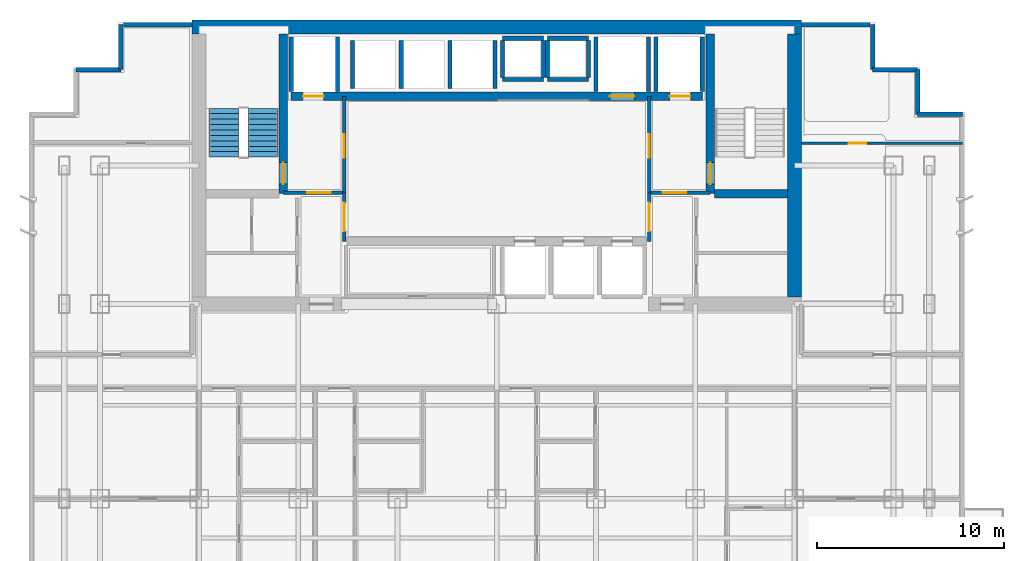
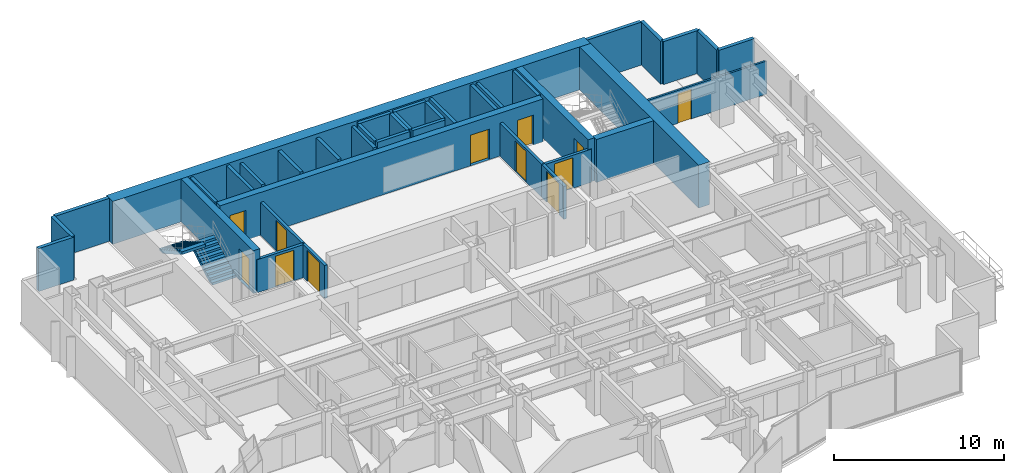
# One storey, part 7 of 10: 39 walls, 12 doors, 2 stair flights, 12 openings, 1 element without a shape of its own.
"""IFC4 building model written with IfcOpenShell, lengths in metres."""

from ifc_helpers import new_model, si_unit, direction, frame, frame_2d, origin, place, context, subcontext, project, spatial, polyline, rectangle, outline, extrude, material, layer, layer_set, type_object, element, fill, aggregate, save


model = new_model("IFC4")

# Units and contexts
model_context = context("Model", 3, precision=1e-05, world=origin(), true_north=direction((0.0, 1.0)))
body_context = subcontext(model_context, "Body", "Model", "MODEL_VIEW")
ifc_project = project(units=[si_unit("LENGTHUNIT", "METRE"), si_unit("AREAUNIT", "SQUARE_METRE"), si_unit("VOLUMEUNIT", "CUBIC_METRE"), si_unit("PLANEANGLEUNIT", "RADIAN"), si_unit("MASSUNIT", "GRAM", prefix="KILO")], contexts=[model_context])

# Site, building, storey
site_placement = place(None, origin())
site = spatial("IfcSite", under=ifc_project, at=site_placement, CompositionType="ELEMENT")
building_placement = place(site_placement, origin())
building = spatial("IfcBuilding", under=site, at=building_placement, Name="Qianlan Lanfeng Residences", CompositionType="ELEMENT")
storey_placement = place(building_placement, frame((0.0, 0.0, 88.300048828125)))
storey = spatial("IfcBuildingStorey", under=building, at=storey_placement, Name="L23", CompositionType="ELEMENT", Elevation=88.300048828125)

# Wall, opening, door
ifc_material_1 = material(Name="Concrete C60", Category="concrete")
ifc_layer_1 = layer(ifc_material_1, 0.449951171875)
ifc_layer_set_1 = layer_set([ifc_layer_1], Name="Concrete C60")
wall_type_1 = type_object("IfcWallType", Name="CW-RC-450", PredefinedType="SHEAR", material=ifc_layer_set_1)
wall_1_placement = place(storey_placement, frame((15.10009765625, 31.10009765625, 0.0), z_axis=(0.0, 0.0, 1.0), x_axis=(0.0, 1.0, 0.0)))
wall_1 = element("IfcWall", 1, at=wall_1_placement, inside=storey, type_object=wall_type_1, Name="L23 Core Shear Wall ST1E", PredefinedType="SHEAR", context=body_context, shape_type="SweptSolid", body=[
    extrude(rectangle(XDim=8.52490234375, YDim=0.449951171875, at=frame_2d((4.262451171875, 0.0))), origin(), (0.0, 0.0, 1.0), 3.08984375),
])
opening_1_placement = place(wall_1_placement, frame((0.510009765625, 0.0, 0.0)))
opening_1 = element("IfcOpeningElement", 2, at=opening_1_placement, cuts=wall_1, Name="Opening L23-D07", PredefinedType="OPENING", context=body_context, shape_type="SweptSolid", body=[
    extrude(rectangle(XDim=1.14990234375, YDim=2.199951171875, at=frame_2d((0.574951171875, 1.10009765625))), frame((0.0, 0.23486328125, 0.0), z_axis=(0.0, -1.0, 0.0), x_axis=(1.0, 0.0, 0.0)), (0.0, 0.0, 1.0), 0.469970703125),
])
ifc_material_2 = material(Name="Painted Galvanised Steel Fire Door", Category="steel")
door_type_1 = type_object("IfcDoorType", Name="DT-ST1", OperationType="NOTDEFINED", PredefinedType="DOOR", material=ifc_material_2)
door_1_placement = place(opening_1_placement, frame((1.14990234375, 0.0, 0.0), z_axis=(0.0, 0.0, 1.0), x_axis=(-1.0, 0.0, 0.0)))
door_1 = element("IfcDoor", 3, at=door_1_placement, inside=storey, type_object=door_type_1, Name="L23 Exit Stair ST-1 Door L23-D07 (DT-ST1)", OperationType="SINGLE_SWING_RIGHT", OverallHeight=2.199951171875, OverallWidth=1.14990234375, PredefinedType="DOOR", context=body_context, shape_type="SweptSolid", body=[
    extrude(rectangle(XDim=1.14990234375, YDim=2.199951171875, at=frame_2d((0.574951171875, 1.10009765625))), frame((0.0, 0.02490234375, 0.0), z_axis=(0.0, -1.0, 0.0), x_axis=(1.0, 0.0, 0.0)), (0.0, 0.0, 1.0), 0.050048828125),
])
fill(opening_1, door_1)

wall_2_placement = place(storey_placement, frame((37.89990234375, 31.10009765625, 0.0), z_axis=(0.0, 0.0, 1.0), x_axis=(0.0, 1.0, 0.0)))
wall_2 = element("IfcWall", 4, at=wall_2_placement, inside=storey, type_object=wall_type_1, Name="L23 Core Shear Wall ST2W", PredefinedType="SHEAR", context=body_context, shape_type="SweptSolid", body=[
    extrude(rectangle(XDim=8.52490234375, YDim=0.449951171875, at=frame_2d((4.262451171875, 0.0))), origin(), (0.0, 0.0, 1.0), 3.08984375),
])
opening_2_placement = place(wall_2_placement, frame((0.510009765625, 0.0, 0.0)))
opening_2 = element("IfcOpeningElement", 5, at=opening_2_placement, cuts=wall_2, Name="Opening L23-D08", PredefinedType="OPENING", context=body_context, shape_type="SweptSolid", body=[
    extrude(rectangle(XDim=1.14990234375, YDim=2.199951171875, at=frame_2d((0.574951171875, 1.10009765625))), frame((0.0, 0.23486328125, 0.0), z_axis=(0.0, -1.0, 0.0), x_axis=(1.0, 0.0, 0.0)), (0.0, 0.0, 1.0), 0.469970703125),
])
door_2_placement = place(opening_2_placement, origin())
door_2 = element("IfcDoor", 6, at=door_2_placement, inside=storey, type_object=door_type_1, Name="L23 Exit Stair ST-2 Door L23-D08 (DT-ST1)", OperationType="SINGLE_SWING_RIGHT", OverallHeight=2.199951171875, OverallWidth=1.14990234375, PredefinedType="DOOR", context=body_context, shape_type="SweptSolid", body=[
    extrude(rectangle(XDim=1.14990234375, YDim=2.199951171875, at=frame_2d((0.574951171875, 1.10009765625))), frame((0.0, 0.02490234375, 0.0), z_axis=(0.0, -1.0, 0.0), x_axis=(1.0, 0.0, 0.0)), (0.0, 0.0, 1.0), 0.050048828125),
])
fill(opening_2, door_2)

# Wall
wall_3_placement = place(storey_placement, frame((38.125, 31.10009765625, 0.0), z_axis=(0.0, 0.0, 1.0), x_axis=(1.0, 0.0, 0.0)))
element("IfcWall", 7, at=wall_3_placement, inside=storey, type_object=wall_type_1, Name="L23 Core Shear Wall ST2S", PredefinedType="SHEAR", context=body_context, shape_type="SweptSolid", body=[
    extrude(rectangle(XDim=3.89990234375, YDim=0.449951171875, at=frame_2d((1.949951171875, 0.0))), origin(), (0.0, 0.0, 1.0), 3.08984375),
])

# Wall, openings, doors
wall_4_placement = place(storey_placement, frame((15.5, 36.300048828125, 0.0), z_axis=(0.0, 0.0, 1.0), x_axis=(1.0, 0.0, 0.0)))
wall_4 = element("IfcWall", 8, at=wall_4_placement, inside=storey, type_object=wall_type_1, Name="L23 Core Shear Wall LBN", PredefinedType="SHEAR", context=body_context, shape_type="SweptSolid", body=[
    extrude(rectangle(XDim=22.0, YDim=0.449951171875, at=frame_2d((11.0, 0.0))), origin(), (0.0, 0.0, 1.0), 3.08984375),
])
opening_3_placement = place(wall_4_placement, frame((0.64990234375, 0.0, 0.0)))
opening_3 = element("IfcOpeningElement", 9, at=opening_3_placement, cuts=wall_4, Name="Opening L23-LD-FFL-1", PredefinedType="OPENING", context=body_context, shape_type="SweptSolid", body=[
    extrude(rectangle(XDim=1.10009765625, YDim=2.14990234375, at=frame_2d((0.550048828125, 1.074951171875))), frame((0.0, 0.23486328125, 0.0), z_axis=(0.0, -1.0, 0.0), x_axis=(1.0, 0.0, 0.0)), (0.0, 0.0, 1.0), 0.469970703125),
])
opening_4_placement = place(wall_4_placement, frame((20.25, 0.0, 0.0)))
opening_4 = element("IfcOpeningElement", 10, at=opening_4_placement, cuts=wall_4, Name="Opening L23-LD-FFL-2", PredefinedType="OPENING", context=body_context, shape_type="SweptSolid", body=[
    extrude(rectangle(XDim=1.10009765625, YDim=2.14990234375, at=frame_2d((0.550048828125, 1.074951171875))), frame((0.0, 0.23486328125, 0.0), z_axis=(0.0, -1.0, 0.0), x_axis=(1.0, 0.0, 0.0)), (0.0, 0.0, 1.0), 0.469970703125),
])
opening_5_placement = place(wall_4_placement, frame((17.050048828125, 0.0, 0.0)))
opening_5 = element("IfcOpeningElement", 11, at=opening_5_placement, cuts=wall_4, Name="Opening L23-LD-SVL-1", PredefinedType="OPENING", context=body_context, shape_type="SweptSolid", body=[
    extrude(rectangle(XDim=1.300048828125, YDim=2.199951171875, at=frame_2d((0.64990234375, 1.10009765625))), frame((0.0, 0.23486328125, 0.0), z_axis=(0.0, -1.0, 0.0), x_axis=(1.0, 0.0, 0.0)), (0.0, 0.0, 1.0), 0.469970703125),
])
ifc_material_3 = material(Name="Brushed Stainless Steel Sliding Lift Door", Category="steel")
door_type_2 = type_object("IfcDoorType", Name="LD-01", OperationType="NOTDEFINED", PredefinedType="DOOR", material=ifc_material_3)
door_3_placement = place(opening_3_placement, frame((1.10009765625, 0.0, 0.0), z_axis=(0.0, 0.0, 1.0), x_axis=(-1.0, 0.0, 0.0)))
door_3 = element("IfcDoor", 12, at=door_3_placement, inside=storey, type_object=door_type_2, Name="L23 Elevator FFL-1 Sliding Landing Door", OperationType="DOUBLE_DOOR_SLIDING", OverallHeight=2.14990234375, OverallWidth=1.10009765625, PredefinedType="DOOR", context=body_context, shape_type="SweptSolid", body=[
    extrude(rectangle(XDim=1.10009765625, YDim=2.14990234375, at=frame_2d((0.550048828125, 1.074951171875))), frame((0.0, 0.02490234375, 0.0), z_axis=(0.0, -1.0, 0.0), x_axis=(1.0, 0.0, 0.0)), (0.0, 0.0, 1.0), 0.050048828125),
])
fill(opening_3, door_3)
door_4_placement = place(opening_4_placement, frame((1.10009765625, 0.0, 0.0), z_axis=(0.0, 0.0, 1.0), x_axis=(-1.0, 0.0, 0.0)))
door_4 = element("IfcDoor", 13, at=door_4_placement, inside=storey, type_object=door_type_2, Name="L23 Elevator FFL-2 Sliding Landing Door", OperationType="DOUBLE_DOOR_SLIDING", OverallHeight=2.14990234375, OverallWidth=1.10009765625, PredefinedType="DOOR", context=body_context, shape_type="SweptSolid", body=[
    extrude(rectangle(XDim=1.10009765625, YDim=2.14990234375, at=frame_2d((0.550048828125, 1.074951171875))), frame((0.0, 0.02490234375, 0.0), z_axis=(0.0, -1.0, 0.0), x_axis=(1.0, 0.0, 0.0)), (0.0, 0.0, 1.0), 0.050048828125),
])
fill(opening_4, door_4)
door_type_3 = type_object("IfcDoorType", Name="LD-02", OperationType="NOTDEFINED", PredefinedType="DOOR", material=ifc_material_3)
door_5_placement = place(opening_5_placement, frame((1.300048828125, 0.0, 0.0), z_axis=(0.0, 0.0, 1.0), x_axis=(-1.0, 0.0, 0.0)))
door_5 = element("IfcDoor", 14, at=door_5_placement, inside=storey, type_object=door_type_3, Name="L23 Elevator SVL-1 Sliding Landing Door", OperationType="DOUBLE_DOOR_SLIDING", OverallHeight=2.199951171875, OverallWidth=1.300048828125, PredefinedType="DOOR", context=body_context, shape_type="SweptSolid", body=[
    extrude(rectangle(XDim=1.300048828125, YDim=2.199951171875, at=frame_2d((0.64990234375, 1.10009765625))), frame((0.0, 0.02490234375, 0.0), z_axis=(0.0, -1.0, 0.0), x_axis=(1.0, 0.0, 0.0)), (0.0, 0.0, 1.0), 0.050048828125),
])
fill(opening_5, door_5)

# Walls
ifc_layer_2 = layer(ifc_material_1, 0.75)
ifc_layer_set_2 = layer_set([ifc_layer_2], Name="Concrete C60")
wall_type_2 = type_object("IfcWallType", Name="CW-RC-750", PredefinedType="SHEAR", material=ifc_layer_set_2)
wall_5_placement = place(storey_placement, frame((10.22509765625, 40.0, 0.0), z_axis=(0.0, 0.0, 1.0), x_axis=(1.0, 0.0, 0.0)))
element("IfcWall", 15, at=wall_5_placement, inside=storey, type_object=wall_type_2, Name="L23 Core Shear Wall N", PredefinedType="SHEAR", context=body_context, shape_type="SweptSolid", body=[
    extrude(rectangle(XDim=32.5498046875, YDim=0.75, at=frame_2d((16.27490234375, 0.0))), origin(), (0.0, 0.0, 1.0), 3.08984375),
])
wall_6_placement = place(storey_placement, frame((42.39990234375, 25.574951171875, 0.0), z_axis=(0.0, 0.0, 1.0), x_axis=(0.0, 1.0, 0.0)))
element("IfcWall", 16, at=wall_6_placement, inside=storey, type_object=wall_type_2, Name="L23 Core Shear Wall E", PredefinedType="SHEAR", context=body_context, shape_type="SweptSolid", body=[
    extrude(rectangle(XDim=14.050048828125, YDim=0.75, at=frame_2d((7.02490234375, 0.0))), origin(), (0.0, 0.0, 1.0), 3.08984375),
])
ifc_material_4 = material(Name="Concrete C42", Category="concrete")
ifc_layer_3 = layer(ifc_material_4, 0.239990234375)
ifc_layer_set_3 = layer_set([ifc_layer_3], Name="Concrete C42")
wall_type_3 = type_object("IfcWallType", Name="EW-240", PredefinedType="SOLIDWALL", material=ifc_layer_set_3)
for number, where, z_axis, x_axis, name in (
    (17, (51.3798828125, 35.330078125, 0.0), (0.0, 0.0, 1.0), (-1.0, 0.0, 0.0), "L23 Exterior Facade Spandrel Wall 11"),
    (18, (48.97998046875, 35.330078125, 0.0), (0.0, 0.0, 1.0), (0.0, 1.0, 0.0), "L23 Exterior Facade Spandrel Wall 12"),
    (19, (48.97998046875, 37.72998046875, 0.0), (0.0, 0.0, 1.0), (-1.0, 0.0, 0.0), "L23 Exterior Facade Spandrel Wall 13"),
    (20, (46.580078125, 37.72998046875, 0.0), (0.0, 0.0, 1.0), (0.0, 1.0, 0.0), "L23 Exterior Facade Spandrel Wall 14"),
):
    element("IfcWall", number, at=place(storey_placement, frame(where, z_axis=z_axis, x_axis=x_axis)), inside=storey, type_object=wall_type_3, Name=name, PredefinedType="SOLIDWALL", context=body_context, shape_type="SweptSolid", body=[
        extrude(rectangle(XDim=2.39990234375, YDim=0.239990234375, at=frame_2d((1.199951171875, 0.0))), origin(), (0.0, 0.0, 1.0), 3.08984375),
    ])
for number, where, z_axis, x_axis, name in (
    (21, (46.449951171875, 40.1298828125, 0.0), (0.0, 0.0, 1.0), (-1.0, 0.0, 0.0), "L23 North Wing Exterior Wall E"),
    (22, (10.22509765625, 40.1298828125, 0.0), (0.0, 0.0, 1.0), (-1.0, 0.0, 0.0), "L23 North Wing Exterior Wall W"),
):
    element("IfcWall", number, at=place(storey_placement, frame(where, z_axis=z_axis, x_axis=x_axis)), inside=storey, type_object=wall_type_3, Name=name, PredefinedType="SOLIDWALL", context=body_context, shape_type="SweptSolid", body=[
        extrude(rectangle(XDim=3.675048828125, YDim=0.239990234375, at=frame_2d((1.83740234375, 0.0))), origin(), (0.0, 0.0, 1.0), 3.08984375),
    ])
for number, where, z_axis, x_axis, name in (
    (23, (6.419921875, 40.1298828125, 0.0), (0.0, 0.0, 1.0), (0.0, -1.0, 0.0), "L23 Exterior Facade Spandrel Wall 17"),
    (24, (6.419921875, 37.72998046875, 0.0), (0.0, 0.0, 1.0), (-1.0, 0.0, 0.0), "L23 Exterior Facade Spandrel Wall 18"),
):
    element("IfcWall", number, at=place(storey_placement, frame(where, z_axis=z_axis, x_axis=x_axis)), inside=storey, type_object=wall_type_3, Name=name, PredefinedType="SOLIDWALL", context=body_context, shape_type="SweptSolid", body=[
        extrude(rectangle(XDim=2.39990234375, YDim=0.239990234375, at=frame_2d((1.199951171875, 0.0))), origin(), (0.0, 0.0, 1.0), 3.08984375),
    ])

# Wall, opening, door
ifc_material_5 = material(Name="Moisture-Resistant Gypsum Partition 135 mm")
ifc_layer_4 = layer(ifc_material_5, 0.135009765625)
ifc_layer_set_4 = layer_set([ifc_layer_4], Name="Moisture-Resistant Gypsum Partition 135 mm")
wall_type_4 = type_object("IfcWallType", Name="PW-135", PredefinedType="PARTITIONING", material=ifc_layer_set_4)
wall_7_placement = place(storey_placement, frame((42.77490234375, 33.800048828125, 0.0), z_axis=(0.0, 0.0, 1.0), x_axis=(1.0, 0.0, 0.0)))
wall_7 = element("IfcWall", 25, at=wall_7_placement, inside=storey, type_object=wall_type_4, Name="L23 EW North Wing Wall", PredefinedType="PARTITIONING", context=body_context, shape_type="SweptSolid", body=[
    extrude(rectangle(XDim=8.60498046875, YDim=0.135009765625, at=frame_2d((4.302490234375, 0.0))), origin(), (0.0, 0.0, 1.0), 2.3798828125),
])
opening_6_placement = place(wall_7_placement, frame((2.5419921875, 0.0, 0.0)))
opening_6 = element("IfcOpeningElement", 26, at=opening_6_placement, cuts=wall_7, Name="Opening L23-D43", PredefinedType="OPENING", context=body_context, shape_type="SweptSolid", body=[
    extrude(rectangle(XDim=0.919921875, YDim=2.14990234375, at=frame_2d((0.4599609375, 1.074951171875))), frame((0.0, 0.07763671875, 0.0), z_axis=(0.0, -1.0, 0.0), x_axis=(1.0, 0.0, 0.0)), (0.0, 0.0, 1.0), 0.155029296875),
])
ifc_material_6 = material(Name="Glazed Timber Kitchen/Study Door", Category="wood")
door_type_4 = type_object("IfcDoorType", Name="DT-INT", OperationType="NOTDEFINED", PredefinedType="DOOR", material=ifc_material_6)
door_6_placement = place(opening_6_placement, origin())
door_6 = element("IfcDoor", 27, at=door_6_placement, inside=storey, type_object=door_type_4, Name="L23 EW Inner Salon Door L23-D43 (DT-INT)", OperationType="SINGLE_SWING_RIGHT", OverallHeight=2.14990234375, OverallWidth=0.919921875, PredefinedType="DOOR", context=body_context, shape_type="SweptSolid", body=[
    extrude(rectangle(XDim=0.919921875, YDim=2.14990234375, at=frame_2d((0.4599609375, 1.074951171875))), frame((0.0, 0.02490234375, 0.0), z_axis=(0.0, -1.0, 0.0), x_axis=(1.0, 0.0, 0.0)), (0.0, 0.0, 1.0), 0.050048828125),
])
fill(opening_6, door_6)

ifc_material_7 = material(Name="Autoclaved Aerated Concrete Blockwork 200 mm", Category="masonry")
ifc_layer_5 = layer(ifc_material_7, 0.199951171875)
ifc_layer_set_5 = layer_set([ifc_layer_5], Name="Autoclaved Aerated Concrete Blockwork 200 mm")
wall_type_5 = type_object("IfcWallType", Name="PW-200", PredefinedType="PARTITIONING", material=ifc_layer_set_5)
wall_8_placement = place(storey_placement, frame((15.10009765625, 31.14990234375, 0.0), z_axis=(0.0, 0.0, 1.0), x_axis=(1.0, 0.0, 0.0)))
wall_8 = element("IfcWall", 28, at=wall_8_placement, inside=storey, type_object=wall_type_5, Name="L23 Firefighting Lobby 1 South Wall", PredefinedType="PARTITIONING", context=body_context, shape_type="SweptSolid", body=[
    extrude(rectangle(XDim=3.25, YDim=0.199951171875, at=frame_2d((1.625, 0.0))), origin(), (0.0, 0.0, 1.0), 2.3798828125),
])
opening_7_placement = place(wall_8_placement, frame((1.27490234375, 0.0, 0.0)))
opening_7 = element("IfcOpeningElement", 29, at=opening_7_placement, cuts=wall_8, Name="Opening L23-D03", PredefinedType="OPENING", context=body_context, shape_type="SweptSolid", body=[
    extrude(rectangle(XDim=1.25, YDim=2.199951171875, at=frame_2d((0.625, 1.10009765625))), frame((0.0, 0.10986328125, 0.0), z_axis=(0.0, -1.0, 0.0), x_axis=(1.0, 0.0, 0.0)), (0.0, 0.0, 1.0), 0.219970703125),
])
door_type_5 = type_object("IfcDoorType", Name="DT-FFL", OperationType="NOTDEFINED", PredefinedType="DOOR", material=ifc_material_2)
door_7_placement = place(opening_7_placement, origin())
door_7 = element("IfcDoor", 30, at=door_7_placement, inside=storey, type_object=door_type_5, Name="L23 Firefighting Lobby 1 Entry Door L23-D03 (DT-FFL)", OperationType="SINGLE_SWING_LEFT", OverallHeight=2.199951171875, OverallWidth=1.25, PredefinedType="DOOR", context=body_context, shape_type="SweptSolid", body=[
    extrude(rectangle(XDim=1.25, YDim=2.199951171875, at=frame_2d((0.625, 1.10009765625))), frame((0.0, 0.02490234375, 0.0), z_axis=(0.0, -1.0, 0.0), x_axis=(1.0, 0.0, 0.0)), (0.0, 0.0, 1.0), 0.050048828125),
])
fill(opening_7, door_7)

wall_9_placement = place(storey_placement, frame((18.35009765625, 31.14990234375, 0.0), z_axis=(0.0, 0.0, 1.0), x_axis=(0.0, 1.0, 0.0)))
wall_9 = element("IfcWall", 31, at=wall_9_placement, inside=storey, type_object=wall_type_5, Name="L23 Firefighting Lobby 1 East Wall", PredefinedType="PARTITIONING", context=body_context, shape_type="SweptSolid", body=[
    extrude(rectangle(XDim=5.150146484375, YDim=0.199951171875, at=frame_2d((2.5751953125, 0.0))), origin(), (0.0, 0.0, 1.0), 2.3798828125),
])
opening_8_placement = place(wall_9_placement, frame((1.875, 0.0, 0.0)))
opening_8 = element("IfcOpeningElement", 32, at=opening_8_placement, cuts=wall_9, Name="Opening L23-D04", PredefinedType="OPENING", context=body_context, shape_type="SweptSolid", body=[
    extrude(rectangle(XDim=1.25, YDim=2.199951171875, at=frame_2d((0.625, 1.10009765625))), frame((0.0, 0.10986328125, 0.0), z_axis=(0.0, -1.0, 0.0), x_axis=(1.0, 0.0, 0.0)), (0.0, 0.0, 1.0), 0.219970703125),
])
door_8_placement = place(opening_8_placement, origin())
door_8 = element("IfcDoor", 33, at=door_8_placement, inside=storey, type_object=door_type_5, Name="L23 Firefighting Lobby 1 Lift Lobby Door L23-D04 (DT-FFL)", OperationType="SINGLE_SWING_LEFT", OverallHeight=2.199951171875, OverallWidth=1.25, PredefinedType="DOOR", context=body_context, shape_type="SweptSolid", body=[
    extrude(rectangle(XDim=1.25, YDim=2.199951171875, at=frame_2d((0.625, 1.10009765625))), frame((0.0, 0.02490234375, 0.0), z_axis=(0.0, -1.0, 0.0), x_axis=(1.0, 0.0, 0.0)), (0.0, 0.0, 1.0), 0.050048828125),
])
fill(opening_8, door_8)

wall_10_placement = place(storey_placement, frame((34.64990234375, 31.14990234375, 0.0), z_axis=(0.0, 0.0, 1.0), x_axis=(1.0, 0.0, 0.0)))
wall_10 = element("IfcWall", 34, at=wall_10_placement, inside=storey, type_object=wall_type_5, Name="L23 Firefighting Lobby 2 South Wall", PredefinedType="PARTITIONING", context=body_context, shape_type="SweptSolid", body=[
    extrude(rectangle(XDim=3.25, YDim=0.199951171875, at=frame_2d((1.625, 0.0))), origin(), (0.0, 0.0, 1.0), 2.3798828125),
])
opening_9_placement = place(wall_10_placement, frame((0.72509765625, 0.0, 0.0)))
opening_9 = element("IfcOpeningElement", 35, at=opening_9_placement, cuts=wall_10, Name="Opening L23-D05", PredefinedType="OPENING", context=body_context, shape_type="SweptSolid", body=[
    extrude(rectangle(XDim=1.25, YDim=2.199951171875, at=frame_2d((0.625, 1.10009765625))), frame((0.0, 0.10986328125, 0.0), z_axis=(0.0, -1.0, 0.0), x_axis=(1.0, 0.0, 0.0)), (0.0, 0.0, 1.0), 0.219970703125),
])
door_9_placement = place(opening_9_placement, origin())
door_9 = element("IfcDoor", 36, at=door_9_placement, inside=storey, type_object=door_type_5, Name="L23 Firefighting Lobby 2 Entry Door L23-D05 (DT-FFL)", OperationType="SINGLE_SWING_RIGHT", OverallHeight=2.199951171875, OverallWidth=1.25, PredefinedType="DOOR", context=body_context, shape_type="SweptSolid", body=[
    extrude(rectangle(XDim=1.25, YDim=2.199951171875, at=frame_2d((0.625, 1.10009765625))), frame((0.0, 0.02490234375, 0.0), z_axis=(0.0, -1.0, 0.0), x_axis=(1.0, 0.0, 0.0)), (0.0, 0.0, 1.0), 0.050048828125),
])
fill(opening_9, door_9)

wall_11_placement = place(storey_placement, frame((34.64990234375, 31.14990234375, 0.0), z_axis=(0.0, 0.0, 1.0), x_axis=(0.0, 1.0, 0.0)))
wall_11 = element("IfcWall", 37, at=wall_11_placement, inside=storey, type_object=wall_type_5, Name="L23 Firefighting Lobby 2 West Wall", PredefinedType="PARTITIONING", context=body_context, shape_type="SweptSolid", body=[
    extrude(rectangle(XDim=5.150146484375, YDim=0.199951171875, at=frame_2d((2.5751953125, 0.0))), origin(), (0.0, 0.0, 1.0), 2.3798828125),
])
opening_10_placement = place(wall_11_placement, frame((1.875, 0.0, 0.0)))
opening_10 = element("IfcOpeningElement", 38, at=opening_10_placement, cuts=wall_11, Name="Opening L23-D06", PredefinedType="OPENING", context=body_context, shape_type="SweptSolid", body=[
    extrude(rectangle(XDim=1.25, YDim=2.199951171875, at=frame_2d((0.625, 1.10009765625))), frame((0.0, 0.10986328125, 0.0), z_axis=(0.0, -1.0, 0.0), x_axis=(1.0, 0.0, 0.0)), (0.0, 0.0, 1.0), 0.219970703125),
])
door_10_placement = place(opening_10_placement, origin())
door_10 = element("IfcDoor", 39, at=door_10_placement, inside=storey, type_object=door_type_5, Name="L23 Firefighting Lobby 2 Lift Lobby Door L23-D06 (DT-FFL)", OperationType="SINGLE_SWING_LEFT", OverallHeight=2.199951171875, OverallWidth=1.25, PredefinedType="DOOR", context=body_context, shape_type="SweptSolid", body=[
    extrude(rectangle(XDim=1.25, YDim=2.199951171875, at=frame_2d((0.625, 1.10009765625))), frame((0.0, 0.02490234375, 0.0), z_axis=(0.0, -1.0, 0.0), x_axis=(1.0, 0.0, 0.0)), (0.0, 0.0, 1.0), 0.050048828125),
])
fill(opening_10, door_10)

wall_12_placement = place(storey_placement, frame((18.35009765625, 28.550048828125, 0.0), z_axis=(0.0, 0.0, 1.0), x_axis=(0.0, 1.0, 0.0)))
wall_12 = element("IfcWall", 40, at=wall_12_placement, inside=storey, type_object=wall_type_5, Name="L23 Lift Lobby West Connector Wall", PredefinedType="PARTITIONING", context=body_context, shape_type="SweptSolid", body=[
    extrude(rectangle(XDim=2.599853515625, YDim=0.199951171875, at=frame_2d((1.2998046875, 0.0))), origin(), (0.0, 0.0, 1.0), 2.3798828125),
])
opening_11_placement = place(wall_12_placement, frame((0.550048828125, 0.0, 0.0)))
opening_11 = element("IfcOpeningElement", 41, at=opening_11_placement, cuts=wall_12, Name="Opening L23-D14", PredefinedType="OPENING", context=body_context, shape_type="SweptSolid", body=[
    extrude(rectangle(XDim=1.5, YDim=2.25, at=frame_2d((0.75, 1.125))), frame((0.0, 0.10986328125, 0.0), z_axis=(0.0, -1.0, 0.0), x_axis=(1.0, 0.0, 0.0)), (0.0, 0.0, 1.0), 0.219970703125),
])
ifc_material_8 = material(Name="Timber Veneer Acoustic Fire Door", Category="wood")
door_type_6 = type_object("IfcDoorType", Name="DT-COR1", OperationType="NOTDEFINED", PredefinedType="DOOR", material=ifc_material_8)
door_11_placement = place(opening_11_placement, origin())
door_11 = element("IfcDoor", 42, at=door_11_placement, inside=storey, type_object=door_type_6, Name="L23 Lift Lobby West Portal Door L23-D14 (DT-COR1)", OperationType="DOUBLE_DOOR_SINGLE_SWING", OverallHeight=2.25, OverallWidth=1.5, PredefinedType="DOOR", context=body_context, shape_type="SweptSolid", body=[
    extrude(rectangle(XDim=1.5, YDim=2.25, at=frame_2d((0.75, 1.125))), frame((0.0, 0.02490234375, 0.0), z_axis=(0.0, -1.0, 0.0), x_axis=(1.0, 0.0, 0.0)), (0.0, 0.0, 1.0), 0.050048828125),
])
fill(opening_11, door_11)

wall_13_placement = place(storey_placement, frame((34.64990234375, 28.550048828125, 0.0), z_axis=(0.0, 0.0, 1.0), x_axis=(0.0, 1.0, 0.0)))
wall_13 = element("IfcWall", 43, at=wall_13_placement, inside=storey, type_object=wall_type_5, Name="L23 Lift Lobby East Connector Wall", PredefinedType="PARTITIONING", context=body_context, shape_type="SweptSolid", body=[
    extrude(rectangle(XDim=2.599853515625, YDim=0.199951171875, at=frame_2d((1.2998046875, 0.0))), origin(), (0.0, 0.0, 1.0), 2.3798828125),
])
opening_12_placement = place(wall_13_placement, frame((0.550048828125, 0.0, 0.0)))
opening_12 = element("IfcOpeningElement", 44, at=opening_12_placement, cuts=wall_13, Name="Opening L23-D15", PredefinedType="OPENING", context=body_context, shape_type="SweptSolid", body=[
    extrude(rectangle(XDim=1.5, YDim=2.25, at=frame_2d((0.75, 1.125))), frame((0.0, 0.10986328125, 0.0), z_axis=(0.0, -1.0, 0.0), x_axis=(1.0, 0.0, 0.0)), (0.0, 0.0, 1.0), 0.219970703125),
])
door_12_placement = place(opening_12_placement, frame((1.5, 0.0, 0.0), z_axis=(0.0, 0.0, 1.0), x_axis=(-1.0, 0.0, 0.0)))
door_12 = element("IfcDoor", 45, at=door_12_placement, inside=storey, type_object=door_type_6, Name="L23 Lift Lobby East Portal Door L23-D15 (DT-COR1)", OperationType="DOUBLE_DOOR_SINGLE_SWING", OverallHeight=2.25, OverallWidth=1.5, PredefinedType="DOOR", context=body_context, shape_type="SweptSolid", body=[
    extrude(rectangle(XDim=1.5, YDim=2.25, at=frame_2d((0.75, 1.125))), frame((0.0, 0.02490234375, 0.0), z_axis=(0.0, -1.0, 0.0), x_axis=(1.0, 0.0, 0.0)), (0.0, 0.0, 1.0), 0.050048828125),
])
fill(opening_12, door_12)

# Walls
ifc_material_9 = material(Name="Concrete C49", Category="concrete")
ifc_layer_6 = layer(ifc_material_9, 0.219970703125)
ifc_layer_set_6 = layer_set([ifc_layer_6], Name="Concrete C49")
wall_type_6 = type_object("IfcWallType", Name="SHW-220", PredefinedType="SOLIDWALL", material=ifc_layer_set_6)
for number, where, z_axis, x_axis, name in (
    (46, (15.52001953125, 36.550048828125, 0.0), (0.0, 0.0, 1.0), (0.0, 1.0, 0.0), "L23 Lift FFL-1 Shaft Wall W"),
    (47, (18.0, 36.550048828125, 0.0), (0.0, 0.0, 1.0), (0.0, 1.0, 0.0), "L23 Lift FFL-1 Shaft Wall E"),
    (48, (35.0, 36.550048828125, 0.0), (0.0, 0.0, 1.0), (0.0, 1.0, 0.0), "L23 Lift FFL-2 Shaft Wall W"),
    (49, (37.47998046875, 36.550048828125, 0.0), (0.0, 0.0, 1.0), (0.0, 1.0, 0.0), "L23 Lift FFL-2 Shaft Wall E"),
    (50, (31.800048828125, 36.550048828125, 0.0), (0.0, 0.0, 1.0), (0.0, 1.0, 0.0), "L23 Lift SVL-1 Shaft Wall W"),
    (51, (34.60009765625, 36.550048828125, 0.0), (0.0, 0.0, 1.0), (0.0, 1.0, 0.0), "L23 Lift SVL-1 Shaft Wall E"),
):
    element("IfcWall", number, at=place(storey_placement, frame(where, z_axis=z_axis, x_axis=x_axis)), inside=storey, type_object=wall_type_6, Name=name, PredefinedType="SOLIDWALL", context=body_context, shape_type="SweptSolid", body=[
        extrude(rectangle(XDim=2.929931640625, YDim=0.219970703125, at=frame_2d((1.46484375, 0.0))), origin(), (0.0, 0.0, 1.0), 3.08984375),
    ])
for number, where, z_axis, x_axis, name in (
    (52, (18.800048828125, 36.719970703125, 0.0), (0.0, 0.0, 1.0), (0.0, 1.0, 0.0), "L23 Lift PL-H1 Shaft Wall W"),
    (53, (21.39990234375, 36.719970703125, 0.0), (0.0, 0.0, 1.0), (0.0, 1.0, 0.0), "L23 Lift PL-H2 Shaft Wall W"),
    (54, (24.0, 36.719970703125, 0.0), (0.0, 0.0, 1.0), (0.0, 1.0, 0.0), "L23 Lift PL-H3 Shaft Wall W"),
    (55, (26.39990234375, 36.719970703125, 0.0), (0.0, 0.0, 1.0), (0.0, 1.0, 0.0), "L23 Lift PL-H3 Shaft Wall E"),
):
    element("IfcWall", number, at=place(storey_placement, frame(where, z_axis=z_axis, x_axis=x_axis)), inside=storey, type_object=wall_type_6, Name=name, PredefinedType="SOLIDWALL", context=body_context, shape_type="SweptSolid", body=[
        extrude(rectangle(XDim=2.56005859375, YDim=0.219970703125, at=frame_2d((1.280029296875, 0.0))), origin(), (0.0, 0.0, 1.0), 3.08984375),
    ])
for number, where, z_axis, x_axis, name in (
    (56, (26.800048828125, 37.31005859375, 0.0), (0.0, 0.0, 1.0), (0.0, 1.0, 0.0), "L23 MEP Riser MEP-R1 Shaft Wall W"),
    (57, (29.0, 37.31005859375, 0.0), (0.0, 0.0, 1.0), (0.0, 1.0, 0.0), "L23 MEP Riser MEP-R1 Shaft Wall E"),
):
    element("IfcWall", number, at=place(storey_placement, frame(where, z_axis=z_axis, x_axis=x_axis)), inside=storey, type_object=wall_type_6, Name=name, PredefinedType="SOLIDWALL", context=body_context, shape_type="SweptSolid", body=[
        extrude(rectangle(XDim=1.97998046875, YDim=0.219970703125, at=frame_2d((0.989990234375, 0.0))), origin(), (0.0, 0.0, 1.0), 3.08984375),
    ])
for number, where, z_axis, x_axis, name in (
    (58, (26.800048828125, 39.39990234375, 0.0), (0.0, 0.0, 1.0), (1.0, 0.0, 0.0), "L23 MEP Riser MEP-R1 Shaft Wall N"),
    (59, (26.800048828125, 37.199951171875, 0.0), (0.0, 0.0, 1.0), (1.0, 0.0, 0.0), "L23 MEP Riser MEP-R1 Shaft Wall S"),
):
    element("IfcWall", number, at=place(storey_placement, frame(where, z_axis=z_axis, x_axis=x_axis)), inside=storey, type_object=wall_type_6, Name=name, PredefinedType="SOLIDWALL", context=body_context, shape_type="SweptSolid", body=[
        extrude(rectangle(XDim=2.199951171875, YDim=0.219970703125, at=frame_2d((1.10009765625, 0.0))), origin(), (0.0, 0.0, 1.0), 3.08984375),
    ])
for number, where, z_axis, x_axis, name in (
    (60, (29.199951171875, 37.31005859375, 0.0), (0.0, 0.0, 1.0), (0.0, 1.0, 0.0), "L23 MEP Riser MEP-R2 Shaft Wall W"),
    (61, (31.39990234375, 37.31005859375, 0.0), (0.0, 0.0, 1.0), (0.0, 1.0, 0.0), "L23 MEP Riser MEP-R2 Shaft Wall E"),
):
    element("IfcWall", number, at=place(storey_placement, frame(where, z_axis=z_axis, x_axis=x_axis)), inside=storey, type_object=wall_type_6, Name=name, PredefinedType="SOLIDWALL", context=body_context, shape_type="SweptSolid", body=[
        extrude(rectangle(XDim=1.97998046875, YDim=0.219970703125, at=frame_2d((0.989990234375, 0.0))), origin(), (0.0, 0.0, 1.0), 3.08984375),
    ])
for number, where, z_axis, x_axis, name in (
    (62, (29.199951171875, 39.39990234375, 0.0), (0.0, 0.0, 1.0), (1.0, 0.0, 0.0), "L23 MEP Riser MEP-R2 Shaft Wall N"),
    (63, (29.199951171875, 37.199951171875, 0.0), (0.0, 0.0, 1.0), (1.0, 0.0, 0.0), "L23 MEP Riser MEP-R2 Shaft Wall S"),
):
    element("IfcWall", number, at=place(storey_placement, frame(where, z_axis=z_axis, x_axis=x_axis)), inside=storey, type_object=wall_type_6, Name=name, PredefinedType="SOLIDWALL", context=body_context, shape_type="SweptSolid", body=[
        extrude(rectangle(XDim=2.199951171875, YDim=0.219970703125, at=frame_2d((1.10009765625, 0.0))), origin(), (0.0, 0.0, 1.0), 3.08984375),
    ])

# Stair, stair flights
stair_type = type_object("IfcStairType", Name="STR-MAIN", PredefinedType="HALF_TURN_STAIR", material=ifc_material_4)
stair_placement = place(storey_placement, origin())
stair = element("IfcStair", 64, at=stair_placement, inside=storey, type_object=stair_type, Name="L23 Exit Stair ST-1", PredefinedType="HALF_TURN_STAIR")
stair_flight_type = type_object("IfcStairFlightType", Name="FLT-1720", PredefinedType="STRAIGHT", material=ifc_material_4)
stair_flight_1_placement = place(storey_placement, frame((14.02001953125, 33.050048828125, 0.0), z_axis=(0.0, 0.0, 1.0), x_axis=(0.0, 1.0, 0.0)))
stair_flight_1 = element("IfcStairFlight", 65, at=stair_flight_1_placement, type_object=stair_flight_type, Name="ST-1 flight 1", NumberOfRisers=10, NumberOfTreads=9, PredefinedType="STRAIGHT", RiserHeight=0.165, TreadLength=0.29, context=body_context, shape_type="SweptSolid", body=[
    extrude(outline(polyline([(0.0, 0.0), (0.0, 0.1650390625), (0.2900390625, 0.1650390625), (0.2900390625, 0.330078125), (0.580078125, 0.330078125), (0.580078125, 0.4951171875), (0.8701171875, 0.4951171875), (0.8701171875, 0.659912109375), (1.159912109375, 0.659912109375), (1.159912109375, 0.824951171875), (1.449951171875, 0.824951171875), (1.449951171875, 0.989990234375), (1.739990234375, 0.989990234375), (1.739990234375, 1.155029296875), (2.030029296875, 1.155029296875), (2.030029296875, 1.320068359375), (2.320068359375, 1.320068359375), (2.320068359375, 1.485107421875), (2.610107421875, 1.485107421875), (2.610107421875, 1.64990234375), (2.610107421875, 1.278076171875), (0.36376953125, 0.0), (0.0, 0.0)])), frame((0.0, 0.800048828125, 0.0), z_axis=(0.0, -1.0, 0.0), x_axis=(1.0, 0.0, 0.0)), (0.0, 0.0, 1.0), 1.60009765625),
])
stair_flight_2_placement = place(storey_placement, frame((11.93994140625, 35.659912109375, 1.64990234375), z_axis=(0.0, 0.0, 1.0), x_axis=(0.0, -1.0, 0.0)))
stair_flight_2 = element("IfcStairFlight", 66, at=stair_flight_2_placement, type_object=stair_flight_type, Name="ST-1 flight 2", NumberOfRisers=10, NumberOfTreads=9, PredefinedType="STRAIGHT", RiserHeight=0.165, TreadLength=0.29, context=body_context, shape_type="SweptSolid", body=[
    extrude(outline(polyline([(0.0, 0.0), (0.0, 0.1650390625), (0.2900390625, 0.1650390625), (0.2900390625, 0.330078125), (0.580078125, 0.330078125), (0.580078125, 0.4951171875), (0.8701171875, 0.4951171875), (0.8701171875, 0.659912109375), (1.159912109375, 0.659912109375), (1.159912109375, 0.824951171875), (1.449951171875, 0.824951171875), (1.449951171875, 0.989990234375), (1.739990234375, 0.989990234375), (1.739990234375, 1.155029296875), (2.030029296875, 1.155029296875), (2.030029296875, 1.320068359375), (2.320068359375, 1.320068359375), (2.320068359375, 1.485107421875), (2.610107421875, 1.485107421875), (2.610107421875, 1.64990234375), (2.610107421875, 1.278076171875), (0.36376953125, 0.0), (0.0, 0.0)])), frame((0.0, 0.800048828125, 0.0), z_axis=(0.0, -1.0, 0.0), x_axis=(1.0, 0.0, 0.0)), (0.0, 0.0, 1.0), 1.60009765625),
])
aggregate(stair, [stair_flight_1, stair_flight_2])

save(model, "model.ifc")
